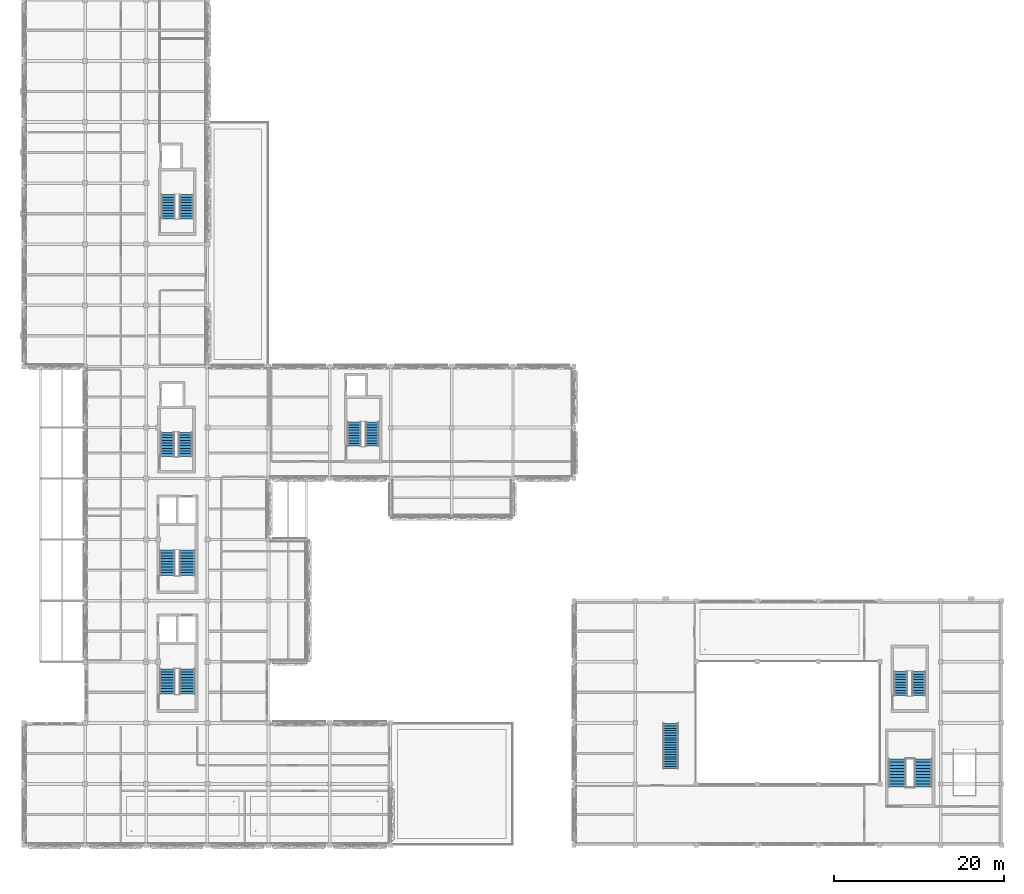
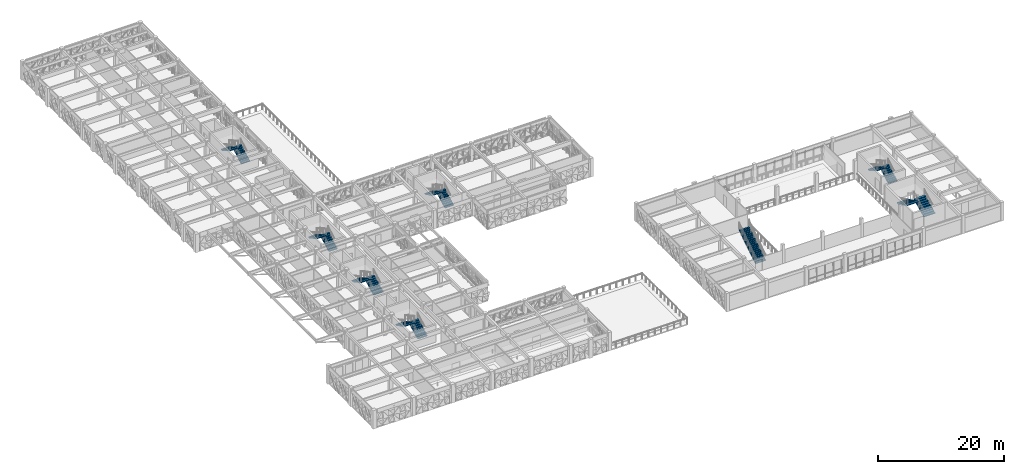
# One storey, part 55 of 99: 15 stair flights, 8 elements without a shape of their own.
"""IFC4 building model written with IfcOpenShell, lengths in metres."""

import ifcopenshell
import ifcopenshell.guid

model = None  # the IFC model being written
_history = None  # IfcOwnerHistory: only IFC2X3 demands one
_inside = {}  # id of a spatial element -> (the spatial element, [elements in it])
_under = {}  # id of a project, library or spatial element -> (it, [spatial elements below it])
_declared = {}  # id of a project -> (the project, [libraries it declares])
_typed = {}  # id of a type object -> (the type object, [elements of that type])
_made_of = {}  # id of a material, layer set ... -> (it, [elements and type objects made of it])


def new_model(schema):
    """Start an empty IFC model of exactly this schema.

    Asked for "IFC4X3", IfcOpenShell would pick the latest addendum, in which some entities
    have other attributes; the version numbers below select the first issue.
    IFC2X3 requires an IfcOwnerHistory on every rooted entity: one is made here for all.
    """
    global model, _history
    if schema == "IFC4X3":
        model = ifcopenshell.file(schema_version=(4, 3, 0, 0))
    else:
        model = ifcopenshell.file(schema=schema)
    _inside.clear()
    _under.clear()
    _declared.clear()
    _typed.clear()
    _made_of.clear()
    _history = None
    if model.schema == "IFC2X3":
        org = make("IfcOrganization", Name="unknown")
        user = make(
            "IfcPersonAndOrganization",
            ThePerson=make("IfcPerson", FamilyName="unknown"),
            TheOrganization=org,
        )
        app = make(
            "IfcApplication",
            ApplicationDeveloper=org,
            Version="unknown",
            ApplicationFullName="unknown",
            ApplicationIdentifier="unknown",
        )
        _history = make(
            "IfcOwnerHistory",
            OwningUser=user,
            OwningApplication=app,
            ChangeAction="ADDED",
            CreationDate=0,
        )
    return model


def make(cls, **values):
    """One entity of the class cls with the attributes given. An attribute that is None is left unset."""
    return model.create_entity(
        cls, **{name: value for name, value in values.items() if value is not None}
    )


def rooted(cls, **values):
    """An entity with a GlobalId (a new one), such as an element, a storey or a relation."""
    return make(cls, GlobalId=ifcopenshell.guid.new(), OwnerHistory=_history, **values)


def si_unit(unit_type, name, prefix=None):
    """IfcSIUnit, for example si_unit("LENGTHUNIT", "METRE", prefix="MILLI")."""
    return make("IfcSIUnit", UnitType=unit_type, Prefix=prefix, Name=name)


def assignment(units):
    """IfcUnitAssignment: the units of a project."""
    return None if units is None else make("IfcUnitAssignment", Units=units)


def point(xyz):
    """IfcCartesianPoint."""
    return None if xyz is None else make("IfcCartesianPoint", Coordinates=xyz)


def direction(xyz):
    """IfcDirection."""
    return None if xyz is None else make("IfcDirection", DirectionRatios=xyz)


def frame(location, z_axis=None, x_axis=None):
    """IfcAxis2Placement3D, a coordinate frame: its origin and axes. An axis left out is left unset."""
    return make(
        "IfcAxis2Placement3D",
        Location=point(location),
        Axis=direction(z_axis),
        RefDirection=direction(x_axis),
    )


def origin():
    """The frame at (0, 0, 0) with its axes left unset."""
    return frame((0.0, 0.0, 0.0))


def place(relative_to, where):
    """IfcLocalPlacement: puts the frame where relative to a parent placement (None: the world)."""
    return make(
        "IfcLocalPlacement", PlacementRelTo=relative_to, RelativePlacement=where
    )


def context(
    kind, dimensions, precision=None, world=None, true_north=None, identifier=None
):
    """IfcGeometricRepresentationContext, for example the 3D "Model" context."""
    return make(
        "IfcGeometricRepresentationContext",
        ContextIdentifier=identifier,
        ContextType=kind,
        CoordinateSpaceDimension=dimensions,
        Precision=precision,
        WorldCoordinateSystem=world,
        TrueNorth=true_north,
    )


def subcontext(parent, identifier, kind, view, scale=None):
    """IfcGeometricRepresentationSubContext, for example "Body" below "Model"."""
    return make(
        "IfcGeometricRepresentationSubContext",
        ContextIdentifier=identifier,
        ContextType=kind,
        ParentContext=parent,
        TargetScale=scale,
        TargetView=view,
    )


def project(units=None, contexts=None):
    """IfcProject with its units and contexts."""
    return rooted(
        "IfcProject",
        Name="project",
        RepresentationContexts=contexts,
        UnitsInContext=assignment(units),
    )


def spatial(cls, under=None, at=None, **own):
    """A site, building, storey or space (cls), placed at a placement, below another one or the project."""
    s = rooted(cls, ObjectPlacement=at, **own)
    if under is not None:
        _under.setdefault(under.id(), (under, []))[1].append(s)
    return s


def polyline(points):
    """IfcPolyline through the points."""
    return make("IfcPolyline", Points=[point(p) for p in points])


def outline(outer, holes=None, kind="AREA"):
    """IfcArbitraryClosedProfileDef: a profile drawn as a closed curve; with holes, ...WithVoids."""
    if holes is None:
        return make("IfcArbitraryClosedProfileDef", ProfileType=kind, OuterCurve=outer)
    return make(
        "IfcArbitraryProfileDefWithVoids",
        ProfileType=kind,
        OuterCurve=outer,
        InnerCurves=holes,
    )


def extrude(swept, where, along, depth):
    """IfcExtrudedAreaSolid: the profile swept, set in the frame where, extruded along a direction by depth."""
    return make(
        "IfcExtrudedAreaSolid",
        SweptArea=swept,
        Position=where,
        ExtrudedDirection=direction(along),
        Depth=depth,
    )


def shape(context_of_items, identifier, shape_type, items):
    """IfcShapeRepresentation: the items that make up one representation, for example the "Body"."""
    return make(
        "IfcShapeRepresentation",
        ContextOfItems=context_of_items,
        RepresentationIdentifier=identifier,
        RepresentationType=shape_type,
        Items=items,
    )


def material(Name=None, Category=None):
    """IfcMaterial."""
    return make("IfcMaterial", Name=Name, Category=Category)


def made_of(thing, what):
    """Note that an element or type object is made of a material, layer set ...; save() writes the relation."""
    if what is not None:
        _made_of.setdefault(what.id(), (what, []))[1].append(thing)
    return thing


def type_object(cls, material=None, **own):
    """A type object (cls), such as IfcWallType, which elements share."""
    return made_of(rooted(cls, **own), material)


def element(
    cls,
    number,
    at=None,
    inside=None,
    cuts=None,
    type_object=None,
    material=None,
    context=None,
    identifier="Body",
    shape_type=None,
    held_by="IfcProductDefinitionShape",
    body=None,
    shapes=None,
    **own,
):
    """One element of the class cls, such as IfcWall. Its Tag is "e" and its number.

    at: its placement. inside: the storey or other place that contains it. cuts: it is an
    opening in that element (IfcRelVoidsElement). A single representation is given by context,
    identifier, shape_type and body (its items); several are given by shapes. held_by: the class
    of the entity that holds the representations. save() writes the other relations.
    """
    e = rooted(cls, Tag="e%d" % number, ObjectPlacement=at, **own)
    if body is not None:
        shapes = [shape(context, identifier, shape_type, body)]
    if shapes is not None:
        e.Representation = make(held_by, Representations=shapes)
    if inside is not None:
        _inside.setdefault(inside.id(), (inside, []))[1].append(e)
    if cuts is not None:
        rooted(
            "IfcRelVoidsElement", RelatingBuildingElement=cuts, RelatedOpeningElement=e
        )
    if type_object is not None:
        _typed.setdefault(type_object.id(), (type_object, []))[1].append(e)
    return made_of(e, material)


def aggregate(whole, parts):
    """IfcRelAggregates: a whole, such as a stair, and the parts it consists of."""
    return rooted("IfcRelAggregates", RelatingObject=whole, RelatedObjects=parts)


def save(model, path):
    """Write the relations noted so far, then the file.

    IfcRelAggregates (storeys below a building ...), IfcRelContainedInSpatialStructure (elements
    in a storey), IfcRelDefinesByType, IfcRelAssociatesMaterial and IfcRelDeclares: one each for
    every whole, place, type object, material and project.
    """
    for whole, parts in _under.values():
        aggregate(whole, parts)
    for where, things in _inside.values():
        rooted(
            "IfcRelContainedInSpatialStructure",
            RelatedElements=things,
            RelatingStructure=where,
        )
    for kind, things in _typed.values():
        rooted("IfcRelDefinesByType", RelatedObjects=things, RelatingType=kind)
    for what, things in _made_of.values():
        rooted("IfcRelAssociatesMaterial", RelatedObjects=things, RelatingMaterial=what)
    for by, libraries in _declared.values():
        rooted("IfcRelDeclares", RelatingContext=by, RelatedDefinitions=libraries)
    model.write(path)


model = new_model("IFC4")

# Units and contexts
model_context = context("Model", 3, precision=1e-05, world=origin(), true_north=direction((0.0, 1.0)))
body_context = subcontext(model_context, "Body", "Model", "MODEL_VIEW")
ifc_project = project(units=[si_unit("LENGTHUNIT", "METRE"), si_unit("AREAUNIT", "SQUARE_METRE"), si_unit("VOLUMEUNIT", "CUBIC_METRE"), si_unit("PLANEANGLEUNIT", "RADIAN"), si_unit("MASSUNIT", "GRAM", prefix="KILO")], contexts=[model_context])

# Site, building, storey
site_placement = place(None, origin())
site = spatial("IfcSite", under=ifc_project, at=site_placement, CompositionType="ELEMENT")
building_placement = place(site_placement, origin())
building = spatial("IfcBuilding", under=site, at=building_placement, Name="Alvorim Cloister Faculty of Sciences", CompositionType="ELEMENT")
storey_placement = place(building_placement, frame((0.0, 0.0, 12.14990234375)))
storey = spatial("IfcBuildingStorey", under=building, at=storey_placement, Name="L03", CompositionType="ELEMENT", Elevation=12.14990234375)

# Stair, stair flight
ifc_material_1 = material(Name="Glulam GL32h", Category="wood")
stair_type_1 = type_object("IfcStairType", Name="STR-MON-ST-10-1700x3600", PredefinedType="STRAIGHT_RUN_STAIR", material=ifc_material_1)
stair_1_placement = place(storey_placement, origin())
stair_1 = element("IfcStair", 1, at=stair_1_placement, inside=storey, type_object=stair_type_1, Name="Atrium Monumental Stair MST-L03-ATR", PredefinedType="STRAIGHT_RUN_STAIR")
stair_flight_type_1 = type_object("IfcStairFlightType", Name="FLT-MON-ST-10-1700x3600", PredefinedType="STRAIGHT", material=ifc_material_1)
stair_flight_1_placement = place(storey_placement, frame((76.199951171875, 9.0, 0.0), z_axis=(0.0, 0.0, 1.0), x_axis=(0.0, 1.0, 0.0)))
stair_flight_1 = element("IfcStairFlight", 2, at=stair_flight_1_placement, type_object=stair_flight_type_1, Name="ST-10 flight 1", NumberOfRisers=20, NumberOfTreads=19, PredefinedType="STRAIGHT", RiserHeight=0.18, TreadLength=0.28, context=body_context, shape_type="SweptSolid", body=[
    extrude(outline(polyline([(0.332763671875, 0.0), (5.320068359375, 3.2060546875), (5.320068359375, 3.60009765625), (5.320068359375, 3.419921875), (5.0400390625, 3.419921875), (5.0400390625, 3.239990234375), (4.760009765625, 3.239990234375), (4.760009765625, 3.06005859375), (4.47998046875, 3.06005859375), (4.47998046875, 2.8798828125), (4.199951171875, 2.8798828125), (4.199951171875, 2.699951171875), (3.919921875, 2.699951171875), (3.919921875, 2.52001953125), (3.639892578125, 2.52001953125), (3.639892578125, 2.340087890625), (3.360107421875, 2.340087890625), (3.360107421875, 2.159912109375), (3.080078125, 2.159912109375), (3.080078125, 1.97998046875), (2.800048828125, 1.97998046875), (2.800048828125, 1.800048828125), (2.52001953125, 1.800048828125), (2.52001953125, 1.6201171875), (2.239990234375, 1.6201171875), (2.239990234375, 1.43994140625), (1.9599609375, 1.43994140625), (1.9599609375, 1.260009765625), (1.679931640625, 1.260009765625), (1.679931640625, 1.080078125), (1.39990234375, 1.080078125), (1.39990234375, 0.89990234375), (1.1201171875, 0.89990234375), (1.1201171875, 0.719970703125), (0.840087890625, 0.719970703125), (0.840087890625, 0.5400390625), (0.56005859375, 0.5400390625), (0.56005859375, 0.360107421875), (0.280029296875, 0.360107421875), (0.280029296875, 0.179931640625), (0.0, 0.179931640625), (0.0, 0.0), (0.332763671875, 0.0)])), frame((0.0, 0.919921875, 0.0), z_axis=(0.0, -1.0, 0.0), x_axis=(1.0, 0.0, 0.0)), (0.0, 0.0, 1.0), 1.840087890625),
])
aggregate(stair_1, [stair_flight_1])

# Stair, stair flights
ifc_material_2 = material(Name="Concrete C40", Category="concrete")
stair_type_2 = type_object("IfcStairType", Name="STR-ST-01-1780x3600", PredefinedType="HALF_TURN_STAIR", material=ifc_material_2)
stair_2_placement = place(storey_placement, origin())
stair_2 = element("IfcStair", 3, at=stair_2_placement, inside=storey, type_object=stair_type_2, Name="L03 Enclosed Smoke-Proof Stair ST-01", PredefinedType="HALF_TURN_STAIR")
stair_flight_type_2 = type_object("IfcStairFlightType", Name="FLT-ST-01-1780x1800", PredefinedType="STRAIGHT", material=ifc_material_2)
stair_flight_2_placement = place(storey_placement, frame((19.22998046875, 17.780029296875, 0.0), z_axis=(0.0, 0.0, 1.0), x_axis=(0.0, 1.0, 0.0)))
stair_flight_2 = element("IfcStairFlight", 4, at=stair_flight_2_placement, type_object=stair_flight_type_2, Name="ST-01 flight 1", NumberOfRisers=10, NumberOfTreads=9, PredefinedType="STRAIGHT", RiserHeight=0.18, TreadLength=0.33, context=body_context, shape_type="SweptSolid", body=[
    extrude(outline(polyline([(0.333984375, 0.0), (2.969970703125, 1.437744140625), (2.969970703125, 1.800048828125), (2.969970703125, 1.6201171875), (2.639892578125, 1.6201171875), (2.639892578125, 1.43994140625), (2.31005859375, 1.43994140625), (2.31005859375, 1.260009765625), (1.97998046875, 1.260009765625), (1.97998046875, 1.080078125), (1.64990234375, 1.080078125), (1.64990234375, 0.89990234375), (1.320068359375, 0.89990234375), (1.320068359375, 0.719970703125), (0.989990234375, 0.719970703125), (0.989990234375, 0.5400390625), (0.659912109375, 0.5400390625), (0.659912109375, 0.360107421875), (0.330078125, 0.360107421875), (0.330078125, 0.179931640625), (0.0, 0.179931640625), (0.0, 0.0), (0.333984375, 0.0)])), frame((0.0, 0.89013671875, 0.0), z_axis=(0.0, -1.0, 0.0), x_axis=(1.0, 0.0, 0.0)), (0.0, 0.0, 1.0), 1.780029296875),
])
stair_flight_3_placement = place(storey_placement, frame((16.889892578125, 20.75, 1.800048828125), z_axis=(0.0, 0.0, 1.0), x_axis=(0.0, -1.0, 0.0)))
stair_flight_3 = element("IfcStairFlight", 5, at=stair_flight_3_placement, type_object=stair_flight_type_2, Name="ST-01 flight 2", NumberOfRisers=10, NumberOfTreads=9, PredefinedType="STRAIGHT", RiserHeight=0.18, TreadLength=0.33, context=body_context, shape_type="SweptSolid", body=[
    extrude(outline(polyline([(0.333984375, 0.0), (2.969970703125, 1.437744140625), (2.969970703125, 1.800048828125), (2.969970703125, 1.6201171875), (2.639892578125, 1.6201171875), (2.639892578125, 1.43994140625), (2.31005859375, 1.43994140625), (2.31005859375, 1.260009765625), (1.97998046875, 1.260009765625), (1.97998046875, 1.080078125), (1.64990234375, 1.080078125), (1.64990234375, 0.89990234375), (1.320068359375, 0.89990234375), (1.320068359375, 0.719970703125), (0.989990234375, 0.719970703125), (0.989990234375, 0.5400390625), (0.659912109375, 0.5400390625), (0.659912109375, 0.360107421875), (0.330078125, 0.360107421875), (0.330078125, 0.179931640625), (0.0, 0.179931640625), (0.0, 0.0), (0.333984375, 0.0)])), frame((0.0, 0.89013671875, 0.0), z_axis=(0.0, -1.0, 0.0), x_axis=(1.0, 0.0, 0.0)), (0.0, 0.0, 1.0), 1.780029296875),
])
aggregate(stair_2, [stair_flight_2, stair_flight_3])

stair_type_3 = type_object("IfcStairType", Name="STR-ST-02-1780x3600", PredefinedType="HALF_TURN_STAIR", material=ifc_material_2)
stair_3_placement = place(storey_placement, origin())
stair_3 = element("IfcStair", 6, at=stair_3_placement, inside=storey, type_object=stair_type_3, Name="L03 Enclosed Smoke-Proof Stair ST-02", PredefinedType="HALF_TURN_STAIR")
stair_flight_type_3 = type_object("IfcStairFlightType", Name="FLT-ST-02-1780x1800", PredefinedType="STRAIGHT", material=ifc_material_2)
stair_flight_4_placement = place(storey_placement, frame((19.22998046875, 31.780029296875, 0.0), z_axis=(0.0, 0.0, 1.0), x_axis=(0.0, 1.0, 0.0)))
stair_flight_4 = element("IfcStairFlight", 7, at=stair_flight_4_placement, type_object=stair_flight_type_3, Name="ST-02 flight 1", NumberOfRisers=10, NumberOfTreads=9, PredefinedType="STRAIGHT", RiserHeight=0.18, TreadLength=0.33, context=body_context, shape_type="SweptSolid", body=[
    extrude(outline(polyline([(0.333984375, 0.0), (2.969970703125, 1.437744140625), (2.969970703125, 1.800048828125), (2.969970703125, 1.6201171875), (2.639892578125, 1.6201171875), (2.639892578125, 1.43994140625), (2.31005859375, 1.43994140625), (2.31005859375, 1.260009765625), (1.97998046875, 1.260009765625), (1.97998046875, 1.080078125), (1.64990234375, 1.080078125), (1.64990234375, 0.89990234375), (1.320068359375, 0.89990234375), (1.320068359375, 0.719970703125), (0.989990234375, 0.719970703125), (0.989990234375, 0.5400390625), (0.659912109375, 0.5400390625), (0.659912109375, 0.360107421875), (0.330078125, 0.360107421875), (0.330078125, 0.179931640625), (0.0, 0.179931640625), (0.0, 0.0), (0.333984375, 0.0)])), frame((0.0, 0.89013671875, 0.0), z_axis=(0.0, -1.0, 0.0), x_axis=(1.0, 0.0, 0.0)), (0.0, 0.0, 1.0), 1.780029296875),
])
stair_flight_5_placement = place(storey_placement, frame((16.889892578125, 34.75, 1.800048828125), z_axis=(0.0, 0.0, 1.0), x_axis=(0.0, -1.0, 0.0)))
stair_flight_5 = element("IfcStairFlight", 8, at=stair_flight_5_placement, type_object=stair_flight_type_3, Name="ST-02 flight 2", NumberOfRisers=10, NumberOfTreads=9, PredefinedType="STRAIGHT", RiserHeight=0.18, TreadLength=0.33, context=body_context, shape_type="SweptSolid", body=[
    extrude(outline(polyline([(0.333984375, 0.0), (2.969970703125, 1.437744140625), (2.969970703125, 1.800048828125), (2.969970703125, 1.6201171875), (2.639892578125, 1.6201171875), (2.639892578125, 1.43994140625), (2.31005859375, 1.43994140625), (2.31005859375, 1.260009765625), (1.97998046875, 1.260009765625), (1.97998046875, 1.080078125), (1.64990234375, 1.080078125), (1.64990234375, 0.89990234375), (1.320068359375, 0.89990234375), (1.320068359375, 0.719970703125), (0.989990234375, 0.719970703125), (0.989990234375, 0.5400390625), (0.659912109375, 0.5400390625), (0.659912109375, 0.360107421875), (0.330078125, 0.360107421875), (0.330078125, 0.179931640625), (0.0, 0.179931640625), (0.0, 0.0), (0.333984375, 0.0)])), frame((0.0, 0.89013671875, 0.0), z_axis=(0.0, -1.0, 0.0), x_axis=(1.0, 0.0, 0.0)), (0.0, 0.0, 1.0), 1.780029296875),
])
aggregate(stair_3, [stair_flight_4, stair_flight_5])

stair_type_4 = type_object("IfcStairType", Name="STR-ST-03-1600x3600", PredefinedType="HALF_TURN_STAIR", material=ifc_material_2)
stair_4_placement = place(storey_placement, origin())
stair_4 = element("IfcStair", 9, at=stair_4_placement, inside=storey, type_object=stair_type_4, Name="L03 Enclosed Smoke-Proof Stair ST-03", PredefinedType="HALF_TURN_STAIR")
stair_flight_type_4 = type_object("IfcStairFlightType", Name="FLT-ST-03-1600x1800", PredefinedType="STRAIGHT", material=ifc_material_2)
stair_flight_6_placement = place(storey_placement, frame((19.02001953125, 45.800048828125, 0.0), z_axis=(0.0, 0.0, 1.0), x_axis=(0.0, 1.0, 0.0)))
stair_flight_6 = element("IfcStairFlight", 10, at=stair_flight_6_placement, type_object=stair_flight_type_4, Name="ST-03 flight 1", NumberOfRisers=10, NumberOfTreads=9, PredefinedType="STRAIGHT", RiserHeight=0.18, TreadLength=0.315, context=body_context, shape_type="SweptSolid", body=[
    extrude(outline(polyline([(0.322265625, 0.0), (2.8349609375, 1.435791015625), (2.8349609375, 1.800048828125), (2.8349609375, 1.6201171875), (2.52001953125, 1.6201171875), (2.52001953125, 1.43994140625), (2.205078125, 1.43994140625), (2.205078125, 1.260009765625), (1.889892578125, 1.260009765625), (1.889892578125, 1.080078125), (1.574951171875, 1.080078125), (1.574951171875, 0.89990234375), (1.260009765625, 0.89990234375), (1.260009765625, 0.719970703125), (0.945068359375, 0.719970703125), (0.945068359375, 0.5400390625), (0.6298828125, 0.5400390625), (0.6298828125, 0.360107421875), (0.31494140625, 0.360107421875), (0.31494140625, 0.179931640625), (0.0, 0.179931640625), (0.0, 0.0), (0.322265625, 0.0)])), frame((0.0, 0.800048828125, 0.0), z_axis=(0.0, -1.0, 0.0), x_axis=(1.0, 0.0, 0.0)), (0.0, 0.0, 1.0), 1.60009765625),
])
stair_flight_7_placement = place(storey_placement, frame((16.89990234375, 48.635009765625, 1.800048828125), z_axis=(0.0, 0.0, 1.0), x_axis=(0.0, -1.0, 0.0)))
stair_flight_7 = element("IfcStairFlight", 11, at=stair_flight_7_placement, type_object=stair_flight_type_4, Name="ST-03 flight 2", NumberOfRisers=10, NumberOfTreads=9, PredefinedType="STRAIGHT", RiserHeight=0.18, TreadLength=0.315, context=body_context, shape_type="SweptSolid", body=[
    extrude(outline(polyline([(0.322265625, 0.0), (2.8349609375, 1.435791015625), (2.8349609375, 1.800048828125), (2.8349609375, 1.6201171875), (2.52001953125, 1.6201171875), (2.52001953125, 1.43994140625), (2.205078125, 1.43994140625), (2.205078125, 1.260009765625), (1.889892578125, 1.260009765625), (1.889892578125, 1.080078125), (1.574951171875, 1.080078125), (1.574951171875, 0.89990234375), (1.260009765625, 0.89990234375), (1.260009765625, 0.719970703125), (0.945068359375, 0.719970703125), (0.945068359375, 0.5400390625), (0.6298828125, 0.5400390625), (0.6298828125, 0.360107421875), (0.31494140625, 0.360107421875), (0.31494140625, 0.179931640625), (0.0, 0.179931640625), (0.0, 0.0), (0.322265625, 0.0)])), frame((0.0, 0.800048828125, 0.0), z_axis=(0.0, -1.0, 0.0), x_axis=(1.0, 0.0, 0.0)), (0.0, 0.0, 1.0), 1.60009765625),
])
aggregate(stair_4, [stair_flight_6, stair_flight_7])

stair_type_5 = type_object("IfcStairType", Name="STR-ST-04-1600x3600", PredefinedType="HALF_TURN_STAIR", material=ifc_material_2)
stair_5_placement = place(storey_placement, origin())
stair_5 = element("IfcStair", 12, at=stair_5_placement, inside=storey, type_object=stair_type_5, Name="L03 Enclosed Smoke-Proof Stair ST-04", PredefinedType="HALF_TURN_STAIR")
stair_flight_type_5 = type_object("IfcStairFlightType", Name="FLT-ST-04-1600x1800", PredefinedType="STRAIGHT", material=ifc_material_2)
stair_flight_8_placement = place(storey_placement, frame((41.02001953125, 47.0, 0.0), z_axis=(0.0, 0.0, 1.0), x_axis=(0.0, 1.0, 0.0)))
stair_flight_8 = element("IfcStairFlight", 13, at=stair_flight_8_placement, type_object=stair_flight_type_5, Name="ST-04 flight 1", NumberOfRisers=10, NumberOfTreads=9, PredefinedType="STRAIGHT", RiserHeight=0.18, TreadLength=0.315, context=body_context, shape_type="SweptSolid", body=[
    extrude(outline(polyline([(0.322265625, 0.0), (2.8349609375, 1.435791015625), (2.8349609375, 1.800048828125), (2.8349609375, 1.6201171875), (2.52001953125, 1.6201171875), (2.52001953125, 1.43994140625), (2.205078125, 1.43994140625), (2.205078125, 1.260009765625), (1.889892578125, 1.260009765625), (1.889892578125, 1.080078125), (1.574951171875, 1.080078125), (1.574951171875, 0.89990234375), (1.260009765625, 0.89990234375), (1.260009765625, 0.719970703125), (0.945068359375, 0.719970703125), (0.945068359375, 0.5400390625), (0.6298828125, 0.5400390625), (0.6298828125, 0.360107421875), (0.31494140625, 0.360107421875), (0.31494140625, 0.179931640625), (0.0, 0.179931640625), (0.0, 0.0), (0.322265625, 0.0)])), frame((0.0, 0.800048828125, 0.0), z_axis=(0.0, -1.0, 0.0), x_axis=(1.0, 0.0, 0.0)), (0.0, 0.0, 1.0), 1.60009765625),
])
stair_flight_9_placement = place(storey_placement, frame((38.89990234375, 49.8349609375, 1.800048828125), z_axis=(0.0, 0.0, 1.0), x_axis=(0.0, -1.0, 0.0)))
stair_flight_9 = element("IfcStairFlight", 14, at=stair_flight_9_placement, type_object=stair_flight_type_5, Name="ST-04 flight 2", NumberOfRisers=10, NumberOfTreads=9, PredefinedType="STRAIGHT", RiserHeight=0.18, TreadLength=0.315, context=body_context, shape_type="SweptSolid", body=[
    extrude(outline(polyline([(0.322265625, 0.0), (2.8349609375, 1.435791015625), (2.8349609375, 1.800048828125), (2.8349609375, 1.6201171875), (2.52001953125, 1.6201171875), (2.52001953125, 1.43994140625), (2.205078125, 1.43994140625), (2.205078125, 1.260009765625), (1.889892578125, 1.260009765625), (1.889892578125, 1.080078125), (1.574951171875, 1.080078125), (1.574951171875, 0.89990234375), (1.260009765625, 0.89990234375), (1.260009765625, 0.719970703125), (0.945068359375, 0.719970703125), (0.945068359375, 0.5400390625), (0.6298828125, 0.5400390625), (0.6298828125, 0.360107421875), (0.31494140625, 0.360107421875), (0.31494140625, 0.179931640625), (0.0, 0.179931640625), (0.0, 0.0), (0.322265625, 0.0)])), frame((0.0, 0.800048828125, 0.0), z_axis=(0.0, -1.0, 0.0), x_axis=(1.0, 0.0, 0.0)), (0.0, 0.0, 1.0), 1.60009765625),
])
aggregate(stair_5, [stair_flight_8, stair_flight_9])

stair_type_6 = type_object("IfcStairType", Name="STR-ST-05-1600x3600", PredefinedType="HALF_TURN_STAIR", material=ifc_material_2)
stair_6_placement = place(storey_placement, origin())
stair_6 = element("IfcStair", 15, at=stair_6_placement, inside=storey, type_object=stair_type_6, Name="L03 Enclosed Smoke-Proof Stair ST-05", PredefinedType="HALF_TURN_STAIR")
stair_flight_type_6 = type_object("IfcStairFlightType", Name="FLT-ST-05-1600x1800", PredefinedType="STRAIGHT", material=ifc_material_2)
stair_flight_10_placement = place(storey_placement, frame((19.1201171875, 73.800048828125, 0.0), z_axis=(0.0, 0.0, 1.0), x_axis=(0.0, 1.0, 0.0)))
stair_flight_10 = element("IfcStairFlight", 16, at=stair_flight_10_placement, type_object=stair_flight_type_6, Name="ST-05 flight 1", NumberOfRisers=10, NumberOfTreads=9, PredefinedType="STRAIGHT", RiserHeight=0.18, TreadLength=0.315, context=body_context, shape_type="SweptSolid", body=[
    extrude(outline(polyline([(0.322265625, 0.0), (2.8349609375, 1.435791015625), (2.8349609375, 1.800048828125), (2.8349609375, 1.6201171875), (2.52001953125, 1.6201171875), (2.52001953125, 1.43994140625), (2.205078125, 1.43994140625), (2.205078125, 1.260009765625), (1.889892578125, 1.260009765625), (1.889892578125, 1.080078125), (1.574951171875, 1.080078125), (1.574951171875, 0.89990234375), (1.260009765625, 0.89990234375), (1.260009765625, 0.719970703125), (0.945068359375, 0.719970703125), (0.945068359375, 0.5400390625), (0.6298828125, 0.5400390625), (0.6298828125, 0.360107421875), (0.31494140625, 0.360107421875), (0.31494140625, 0.179931640625), (0.0, 0.179931640625), (0.0, 0.0), (0.322265625, 0.0)])), frame((0.0, 0.800048828125, 0.0), z_axis=(0.0, -1.0, 0.0), x_axis=(1.0, 0.0, 0.0)), (0.0, 0.0, 1.0), 1.60009765625),
])
stair_flight_11_placement = place(storey_placement, frame((17.0, 76.635009765625, 1.800048828125), z_axis=(0.0, 0.0, 1.0), x_axis=(0.0, -1.0, 0.0)))
stair_flight_11 = element("IfcStairFlight", 17, at=stair_flight_11_placement, type_object=stair_flight_type_6, Name="ST-05 flight 2", NumberOfRisers=10, NumberOfTreads=9, PredefinedType="STRAIGHT", RiserHeight=0.18, TreadLength=0.315, context=body_context, shape_type="SweptSolid", body=[
    extrude(outline(polyline([(0.322265625, 0.0), (2.8349609375, 1.435791015625), (2.8349609375, 1.800048828125), (2.8349609375, 1.6201171875), (2.52001953125, 1.6201171875), (2.52001953125, 1.43994140625), (2.205078125, 1.43994140625), (2.205078125, 1.260009765625), (1.889892578125, 1.260009765625), (1.889892578125, 1.080078125), (1.574951171875, 1.080078125), (1.574951171875, 0.89990234375), (1.260009765625, 0.89990234375), (1.260009765625, 0.719970703125), (0.945068359375, 0.719970703125), (0.945068359375, 0.5400390625), (0.6298828125, 0.5400390625), (0.6298828125, 0.360107421875), (0.31494140625, 0.360107421875), (0.31494140625, 0.179931640625), (0.0, 0.179931640625), (0.0, 0.0), (0.322265625, 0.0)])), frame((0.0, 0.800048828125, 0.0), z_axis=(0.0, -1.0, 0.0), x_axis=(1.0, 0.0, 0.0)), (0.0, 0.0, 1.0), 1.60009765625),
])
aggregate(stair_6, [stair_flight_10, stair_flight_11])

stair_type_7 = type_object("IfcStairType", Name="STR-ST-06-1600x3600", PredefinedType="HALF_TURN_STAIR", material=ifc_material_2)
stair_7_placement = place(storey_placement, origin())
stair_7 = element("IfcStair", 18, at=stair_7_placement, inside=storey, type_object=stair_type_7, Name="L03 Enclosed Smoke-Proof Stair ST-06", PredefinedType="HALF_TURN_STAIR")
stair_flight_type_7 = type_object("IfcStairFlightType", Name="FLT-ST-06-1600x1800", PredefinedType="STRAIGHT", material=ifc_material_2)
stair_flight_12_placement = place(storey_placement, frame((105.419921875, 17.60009765625, 0.0), z_axis=(0.0, 0.0, 1.0), x_axis=(0.0, 1.0, 0.0)))
stair_flight_12 = element("IfcStairFlight", 19, at=stair_flight_12_placement, type_object=stair_flight_type_7, Name="ST-06 flight 1", NumberOfRisers=10, NumberOfTreads=9, PredefinedType="STRAIGHT", RiserHeight=0.18, TreadLength=0.315, context=body_context, shape_type="SweptSolid", body=[
    extrude(outline(polyline([(0.322265625, 0.0), (2.8349609375, 1.435791015625), (2.8349609375, 1.800048828125), (2.8349609375, 1.6201171875), (2.52001953125, 1.6201171875), (2.52001953125, 1.43994140625), (2.205078125, 1.43994140625), (2.205078125, 1.260009765625), (1.889892578125, 1.260009765625), (1.889892578125, 1.080078125), (1.574951171875, 1.080078125), (1.574951171875, 0.89990234375), (1.260009765625, 0.89990234375), (1.260009765625, 0.719970703125), (0.945068359375, 0.719970703125), (0.945068359375, 0.5400390625), (0.6298828125, 0.5400390625), (0.6298828125, 0.360107421875), (0.31494140625, 0.360107421875), (0.31494140625, 0.179931640625), (0.0, 0.179931640625), (0.0, 0.0), (0.322265625, 0.0)])), frame((0.0, 0.800048828125, 0.0), z_axis=(0.0, -1.0, 0.0), x_axis=(1.0, 0.0, 0.0)), (0.0, 0.0, 1.0), 1.60009765625),
])
stair_flight_13_placement = place(storey_placement, frame((103.300048828125, 20.43505859375, 1.800048828125), z_axis=(0.0, 0.0, 1.0), x_axis=(0.0, -1.0, 0.0)))
stair_flight_13 = element("IfcStairFlight", 20, at=stair_flight_13_placement, type_object=stair_flight_type_7, Name="ST-06 flight 2", NumberOfRisers=10, NumberOfTreads=9, PredefinedType="STRAIGHT", RiserHeight=0.18, TreadLength=0.315, context=body_context, shape_type="SweptSolid", body=[
    extrude(outline(polyline([(0.322265625, 0.0), (2.8349609375, 1.435791015625), (2.8349609375, 1.800048828125), (2.8349609375, 1.6201171875), (2.52001953125, 1.6201171875), (2.52001953125, 1.43994140625), (2.205078125, 1.43994140625), (2.205078125, 1.260009765625), (1.889892578125, 1.260009765625), (1.889892578125, 1.080078125), (1.574951171875, 1.080078125), (1.574951171875, 0.89990234375), (1.260009765625, 0.89990234375), (1.260009765625, 0.719970703125), (0.945068359375, 0.719970703125), (0.945068359375, 0.5400390625), (0.6298828125, 0.5400390625), (0.6298828125, 0.360107421875), (0.31494140625, 0.360107421875), (0.31494140625, 0.179931640625), (0.0, 0.179931640625), (0.0, 0.0), (0.322265625, 0.0)])), frame((0.0, 0.800048828125, 0.0), z_axis=(0.0, -1.0, 0.0), x_axis=(1.0, 0.0, 0.0)), (0.0, 0.0, 1.0), 1.60009765625),
])
aggregate(stair_7, [stair_flight_12, stair_flight_13])

stair_type_8 = type_object("IfcStairType", Name="STR-ST-12-2050x3600", PredefinedType="HALF_TURN_STAIR", material=ifc_material_2)
stair_8_placement = place(storey_placement, origin())
stair_8 = element("IfcStair", 21, at=stair_8_placement, inside=storey, type_object=stair_type_8, Name="L03 Enclosed Smoke-Proof Stair ST-12", PredefinedType="HALF_TURN_STAIR")
stair_flight_type_8 = type_object("IfcStairFlightType", Name="FLT-ST-12-2050x1800", PredefinedType="STRAIGHT", material=ifc_material_2)
stair_flight_14_placement = place(storey_placement, frame((105.93505859375, 6.85009765625, 0.0), z_axis=(0.0, 0.0, 1.0), x_axis=(0.0, 1.0, 0.0)))
stair_flight_14 = element("IfcStairFlight", 22, at=stair_flight_14_placement, type_object=stair_flight_type_8, Name="ST-12 flight 1", NumberOfRisers=10, NumberOfTreads=9, PredefinedType="STRAIGHT", RiserHeight=0.18, TreadLength=0.365, context=body_context, shape_type="SweptSolid", body=[
    extrude(outline(polyline([(0.361572265625, 0.0), (3.284912109375, 1.441650390625), (3.284912109375, 1.800048828125), (3.284912109375, 1.6201171875), (2.919921875, 1.6201171875), (2.919921875, 1.43994140625), (2.554931640625, 1.43994140625), (2.554931640625, 1.260009765625), (2.18994140625, 1.260009765625), (2.18994140625, 1.080078125), (1.824951171875, 1.080078125), (1.824951171875, 0.89990234375), (1.4599609375, 0.89990234375), (1.4599609375, 0.719970703125), (1.094970703125, 0.719970703125), (1.094970703125, 0.5400390625), (0.72998046875, 0.5400390625), (0.72998046875, 0.360107421875), (0.364990234375, 0.360107421875), (0.364990234375, 0.179931640625), (0.0, 0.179931640625), (0.0, 0.0), (0.361572265625, 0.0)])), frame((0.0, 1.02490234375, 0.0), z_axis=(0.0, -1.0, 0.0), x_axis=(1.0, 0.0, 0.0)), (0.0, 0.0, 1.0), 2.050048828125),
])
stair_flight_15_placement = place(storey_placement, frame((102.864990234375, 10.135009765625, 1.800048828125), z_axis=(0.0, 0.0, 1.0), x_axis=(0.0, -1.0, 0.0)))
stair_flight_15 = element("IfcStairFlight", 23, at=stair_flight_15_placement, type_object=stair_flight_type_8, Name="ST-12 flight 2", NumberOfRisers=10, NumberOfTreads=9, PredefinedType="STRAIGHT", RiserHeight=0.18, TreadLength=0.365, context=body_context, shape_type="SweptSolid", body=[
    extrude(outline(polyline([(0.361572265625, 0.0), (3.284912109375, 1.441650390625), (3.284912109375, 1.800048828125), (3.284912109375, 1.6201171875), (2.919921875, 1.6201171875), (2.919921875, 1.43994140625), (2.554931640625, 1.43994140625), (2.554931640625, 1.260009765625), (2.18994140625, 1.260009765625), (2.18994140625, 1.080078125), (1.824951171875, 1.080078125), (1.824951171875, 0.89990234375), (1.4599609375, 0.89990234375), (1.4599609375, 0.719970703125), (1.094970703125, 0.719970703125), (1.094970703125, 0.5400390625), (0.72998046875, 0.5400390625), (0.72998046875, 0.360107421875), (0.364990234375, 0.360107421875), (0.364990234375, 0.179931640625), (0.0, 0.179931640625), (0.0, 0.0), (0.361572265625, 0.0)])), frame((0.0, 1.02490234375, 0.0), z_axis=(0.0, -1.0, 0.0), x_axis=(1.0, 0.0, 0.0)), (0.0, 0.0, 1.0), 2.050048828125),
])
aggregate(stair_8, [stair_flight_14, stair_flight_15])

save(model, "model.ifc")
